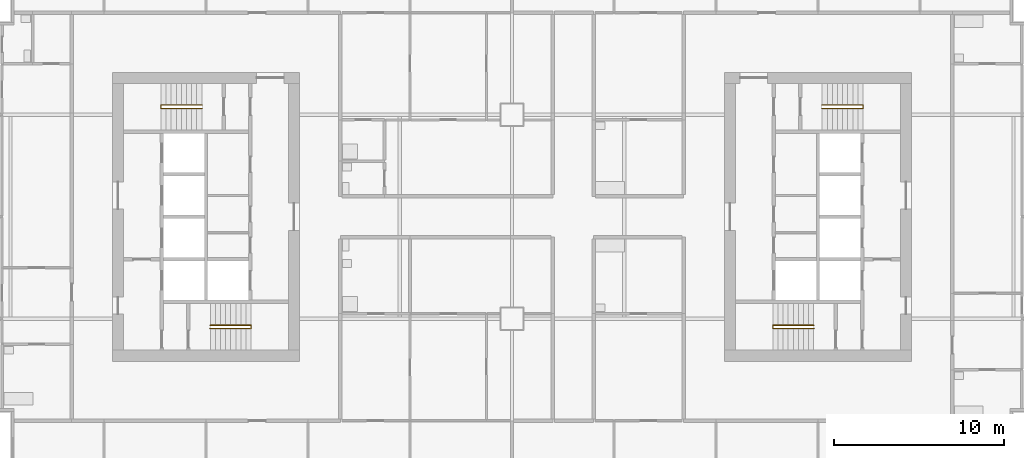
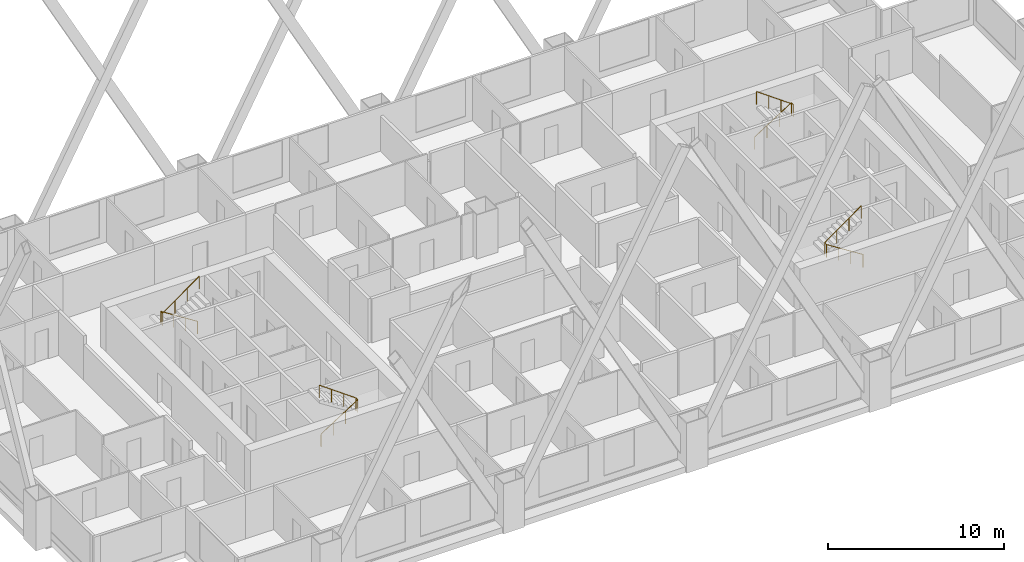
# One storey, part 10 of 11: 4 railings.
"""IFC4 building model written with IfcOpenShell, lengths in metres."""

from ifc_helpers import new_model, si_unit, direction, frame, origin, origin_2d, place, context, subcontext, project, spatial, circle, extrude, material, type_object, element, save


model = new_model("IFC4")

# Units and contexts
model_context = context("Model", 3, precision=1e-05, world=origin(), true_north=direction((0.0, 1.0)))
body_context = subcontext(model_context, "Body", "Model", "MODEL_VIEW")
ifc_project = project(units=[si_unit("LENGTHUNIT", "METRE"), si_unit("AREAUNIT", "SQUARE_METRE"), si_unit("VOLUMEUNIT", "CUBIC_METRE"), si_unit("PLANEANGLEUNIT", "RADIAN"), si_unit("MASSUNIT", "GRAM", prefix="KILO")], contexts=[model_context])

# Site, building, storey
site_placement = place(None, origin())
site = spatial("IfcSite", under=ifc_project, at=site_placement, CompositionType="ELEMENT")
building_placement = place(site_placement, origin())
building = spatial("IfcBuilding", under=site, at=building_placement, Name="Kitamizu Gate Tower and Museum", CompositionType="ELEMENT")
storey_placement = place(building_placement, frame((0.0, 0.0, 131.10009765625)))
storey = spatial("IfcBuildingStorey", under=building, at=storey_placement, Name="L34", CompositionType="ELEMENT", Elevation=131.10009765625)

# Railings
ifc_material = material(Name="Stainless steel SUS304", Category="steel")
railing_type = type_object("IfcRailingType", Name="Stair handrail 900", PredefinedType="HANDRAIL", material=ifc_material)
railing_1_placement = place(storey_placement, frame((18.25, 23.425048828125, 0.191650390625)))
element("IfcRailing", 1, at=railing_1_placement, inside=storey, type_object=railing_type, Name="Stair handrail ST1", PredefinedType="HANDRAIL", context=body_context, shape_type="SweptSolid", body=[
    extrude(circle(Radius=0.02392578125, at=origin_2d()), frame((0.0, 0.0, 0.8759765625), z_axis=(0.84270706373, 0.0, 0.538372366248), x_axis=(0.0, 1.0, 0.0)), (0.0, 0.0, 1.0), 2.847900390625),
    extrude(circle(Radius=0.02392578125, at=origin_2d()), frame((2.39990234375, 0.0, 2.4091796875), z_axis=(0.0, 1.0, 0.0), x_axis=(-1.0, 0.0, 0.0)), (0.0, 0.0, 1.0), 0.199951171875),
    extrude(circle(Radius=0.02392578125, at=origin_2d()), frame((2.39990234375, 0.199951171875, 2.4091796875), z_axis=(-0.811988456656, 0.0, 0.583673492852), x_axis=(0.0, -1.0, 0.0)), (0.0, 0.0, 1.0), 2.95556640625),
    extrude(circle(Radius=0.02099609375, at=origin_2d()), origin(), (0.0, 0.0, 1.0), 0.851806640625),
    extrude(circle(Radius=0.02099609375, at=origin_2d()), frame((0.800048828125, 0.0, 0.510986328125)), (0.0, 0.0, 1.0), 0.851806640625),
    extrude(circle(Radius=0.02099609375, at=origin_2d()), frame((1.599853515625, 0.0, 1.022216796875)), (0.0, 0.0, 1.0), 0.851806640625),
    extrude(circle(Radius=0.02099609375, at=origin_2d()), frame((2.39990234375, 0.0, 1.533203125)), (0.0, 0.0, 1.0), 0.851806640625),
    extrude(circle(Radius=0.02099609375, at=origin_2d()), frame((2.39990234375, 0.199951171875, 1.533203125)), (0.0, 0.0, 1.0), 0.851806640625),
    extrude(circle(Radius=0.02099609375, at=origin_2d()), frame((1.599853515625, 0.199951171875, 2.108154296875)), (0.0, 0.0, 1.0), 0.851806640625),
    extrude(circle(Radius=0.02099609375, at=origin_2d()), frame((0.800048828125, 0.199951171875, 2.683349609375)), (0.0, 0.0, 1.0), 0.851806640625),
    extrude(circle(Radius=0.02099609375, at=origin_2d()), frame((0.0, 0.199951171875, 3.25830078125)), (0.0, 0.0, 1.0), 0.851806640625),
])
railing_2_placement = place(storey_placement, frame((17.75, 36.574951171875, 0.191650390625)))
element("IfcRailing", 2, at=railing_2_placement, inside=storey, type_object=railing_type, Name="Stair handrail ST2", PredefinedType="HANDRAIL", context=body_context, shape_type="SweptSolid", body=[
    extrude(circle(Radius=0.02392578125, at=origin_2d()), frame((0.0, 0.0, 0.8759765625), z_axis=(-0.84270706373, 0.0, 0.538372366248), x_axis=(0.0, -1.0, 0.0)), (0.0, 0.0, 1.0), 2.847900390625),
    extrude(circle(Radius=0.02392578125, at=origin_2d()), frame((-2.39990234375, 0.0, 2.4091796875), z_axis=(0.0, -1.0, 0.0), x_axis=(1.0, 0.0, 0.0)), (0.0, 0.0, 1.0), 0.199951171875),
    extrude(circle(Radius=0.02392578125, at=origin_2d()), frame((-2.39990234375, -0.199951171875, 2.4091796875), z_axis=(0.811988456656, 0.0, 0.583673492852), x_axis=(0.0, 1.0, 0.0)), (0.0, 0.0, 1.0), 2.95556640625),
    extrude(circle(Radius=0.02099609375, at=origin_2d()), origin(), (0.0, 0.0, 1.0), 0.851806640625),
    extrude(circle(Radius=0.02099609375, at=origin_2d()), frame((-0.800048828125, 0.0, 0.510986328125)), (0.0, 0.0, 1.0), 0.851806640625),
    extrude(circle(Radius=0.02099609375, at=origin_2d()), frame((-1.599853515625, 0.0, 1.022216796875)), (0.0, 0.0, 1.0), 0.851806640625),
    extrude(circle(Radius=0.02099609375, at=origin_2d()), frame((-2.39990234375, 0.0, 1.533203125)), (0.0, 0.0, 1.0), 0.851806640625),
    extrude(circle(Radius=0.02099609375, at=origin_2d()), frame((-2.39990234375, -0.199951171875, 1.533203125)), (0.0, 0.0, 1.0), 0.851806640625),
    extrude(circle(Radius=0.02099609375, at=origin_2d()), frame((-1.599853515625, -0.199951171875, 2.108154296875)), (0.0, 0.0, 1.0), 0.851806640625),
    extrude(circle(Radius=0.02099609375, at=origin_2d()), frame((-0.800048828125, -0.199951171875, 2.683349609375)), (0.0, 0.0, 1.0), 0.851806640625),
    extrude(circle(Radius=0.02099609375, at=origin_2d()), frame((0.0, -0.199951171875, 3.25830078125)), (0.0, 0.0, 1.0), 0.851806640625),
])
railing_3_placement = place(storey_placement, frame((53.75, 23.425048828125, 0.191650390625)))
element("IfcRailing", 3, at=railing_3_placement, inside=storey, type_object=railing_type, Name="Stair handrail ST3", PredefinedType="HANDRAIL", context=body_context, shape_type="SweptSolid", body=[
    extrude(circle(Radius=0.02392578125, at=origin_2d()), frame((0.0, 0.0, 0.8759765625), z_axis=(-0.84270706373, 0.0, 0.538372366248), x_axis=(0.0, -1.0, 0.0)), (0.0, 0.0, 1.0), 2.847900390625),
    extrude(circle(Radius=0.02392578125, at=origin_2d()), frame((-2.39990234375, 0.0, 2.4091796875), z_axis=(0.0, 1.0, 0.0), x_axis=(-1.0, 0.0, 0.0)), (0.0, 0.0, 1.0), 0.199951171875),
    extrude(circle(Radius=0.02392578125, at=origin_2d()), frame((-2.39990234375, 0.199951171875, 2.4091796875), z_axis=(0.811988456656, 0.0, 0.583673492852), x_axis=(0.0, 1.0, 0.0)), (0.0, 0.0, 1.0), 2.95556640625),
    extrude(circle(Radius=0.02099609375, at=origin_2d()), origin(), (0.0, 0.0, 1.0), 0.851806640625),
    extrude(circle(Radius=0.02099609375, at=origin_2d()), frame((-0.800048828125, 0.0, 0.510986328125)), (0.0, 0.0, 1.0), 0.851806640625),
    extrude(circle(Radius=0.02099609375, at=origin_2d()), frame((-1.599853515625, 0.0, 1.022216796875)), (0.0, 0.0, 1.0), 0.851806640625),
    extrude(circle(Radius=0.02099609375, at=origin_2d()), frame((-2.39990234375, 0.0, 1.533203125)), (0.0, 0.0, 1.0), 0.851806640625),
    extrude(circle(Radius=0.02099609375, at=origin_2d()), frame((-2.39990234375, 0.199951171875, 1.533203125)), (0.0, 0.0, 1.0), 0.851806640625),
    extrude(circle(Radius=0.02099609375, at=origin_2d()), frame((-1.599853515625, 0.199951171875, 2.108154296875)), (0.0, 0.0, 1.0), 0.851806640625),
    extrude(circle(Radius=0.02099609375, at=origin_2d()), frame((-0.800048828125, 0.199951171875, 2.683349609375)), (0.0, 0.0, 1.0), 0.851806640625),
    extrude(circle(Radius=0.02099609375, at=origin_2d()), frame((0.0, 0.199951171875, 3.25830078125)), (0.0, 0.0, 1.0), 0.851806640625),
])
railing_4_placement = place(storey_placement, frame((54.25, 36.574951171875, 0.191650390625)))
element("IfcRailing", 4, at=railing_4_placement, inside=storey, type_object=railing_type, Name="Stair handrail ST4", PredefinedType="HANDRAIL", context=body_context, shape_type="SweptSolid", body=[
    extrude(circle(Radius=0.02392578125, at=origin_2d()), frame((0.0, 0.0, 0.8759765625), z_axis=(0.84270706373, 0.0, 0.538372366248), x_axis=(0.0, 1.0, 0.0)), (0.0, 0.0, 1.0), 2.847900390625),
    extrude(circle(Radius=0.02392578125, at=origin_2d()), frame((2.39990234375, 0.0, 2.4091796875), z_axis=(0.0, -1.0, 0.0), x_axis=(1.0, 0.0, 0.0)), (0.0, 0.0, 1.0), 0.199951171875),
    extrude(circle(Radius=0.02392578125, at=origin_2d()), frame((2.39990234375, -0.199951171875, 2.4091796875), z_axis=(-0.811988456656, 0.0, 0.583673492852), x_axis=(0.0, -1.0, 0.0)), (0.0, 0.0, 1.0), 2.95556640625),
    extrude(circle(Radius=0.02099609375, at=origin_2d()), origin(), (0.0, 0.0, 1.0), 0.851806640625),
    extrude(circle(Radius=0.02099609375, at=origin_2d()), frame((0.800048828125, 0.0, 0.510986328125)), (0.0, 0.0, 1.0), 0.851806640625),
    extrude(circle(Radius=0.02099609375, at=origin_2d()), frame((1.599853515625, 0.0, 1.022216796875)), (0.0, 0.0, 1.0), 0.851806640625),
    extrude(circle(Radius=0.02099609375, at=origin_2d()), frame((2.39990234375, 0.0, 1.533203125)), (0.0, 0.0, 1.0), 0.851806640625),
    extrude(circle(Radius=0.02099609375, at=origin_2d()), frame((2.39990234375, -0.199951171875, 1.533203125)), (0.0, 0.0, 1.0), 0.851806640625),
    extrude(circle(Radius=0.02099609375, at=origin_2d()), frame((1.599853515625, -0.199951171875, 2.108154296875)), (0.0, 0.0, 1.0), 0.851806640625),
    extrude(circle(Radius=0.02099609375, at=origin_2d()), frame((0.800048828125, -0.199951171875, 2.683349609375)), (0.0, 0.0, 1.0), 0.851806640625),
    extrude(circle(Radius=0.02099609375, at=origin_2d()), frame((0.0, -0.199951171875, 3.25830078125)), (0.0, 0.0, 1.0), 0.851806640625),
])

save(model, "model.ifc")
